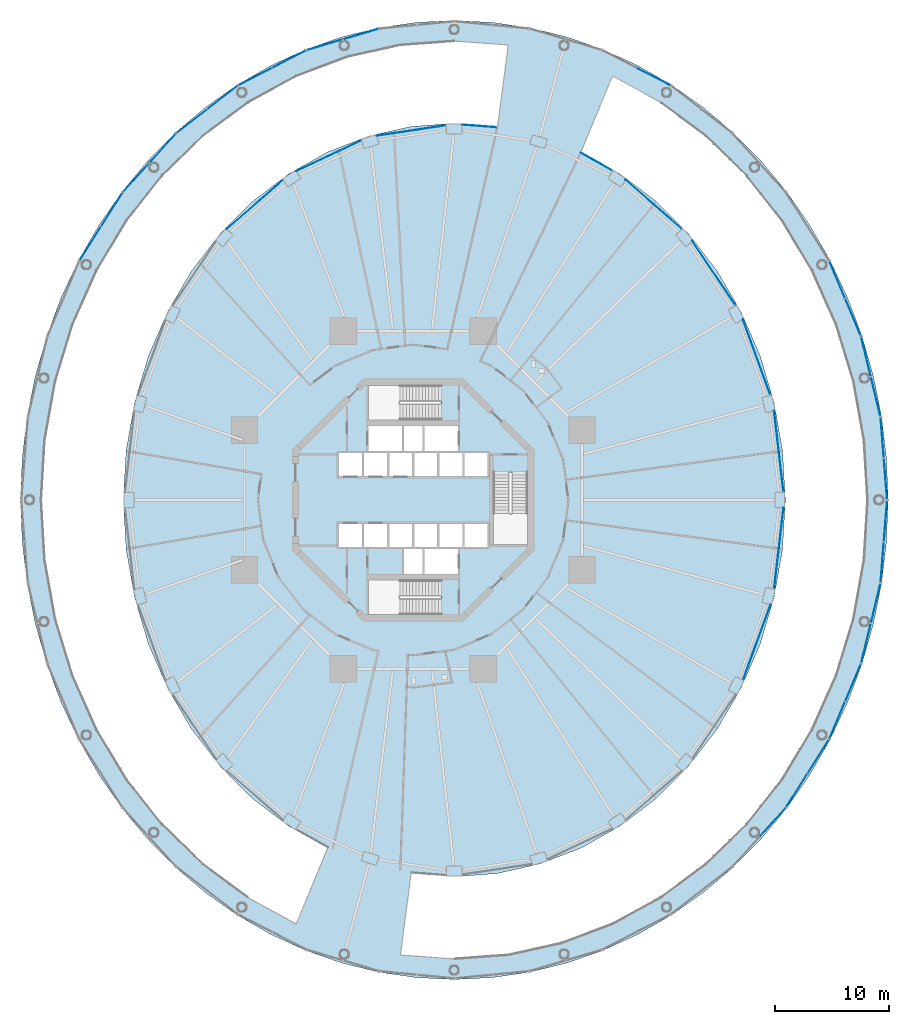
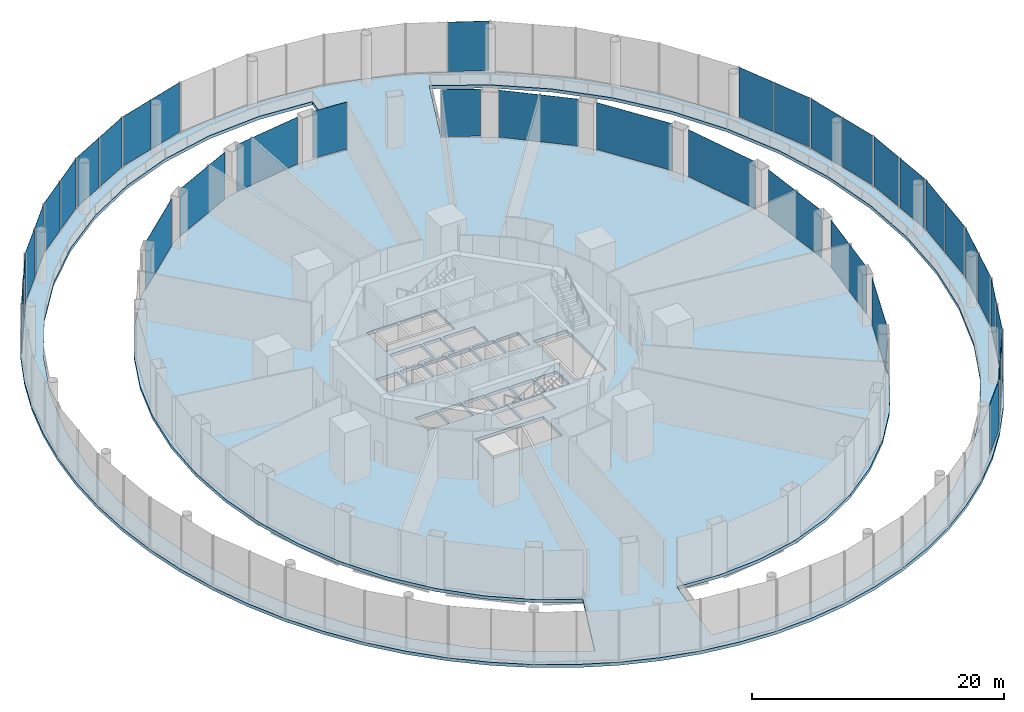
# One storey, part 40 of 47: 37 plates, 1 slab, 25 elements without a shape of their own.
"""IFC4 building model written with IfcOpenShell, lengths in metres."""

from ifc_helpers import new_model, si_unit, direction, frame, origin, origin_2d, place, context, subcontext, project, spatial, polyline, rectangle, outline, extrude, material, layer, layer_set, type_object, element, aggregate, save


model = new_model("IFC4")

# Units and contexts
model_context = context("Model", 3, precision=1e-05, world=origin(), true_north=direction((0.0, 1.0)))
body_context = subcontext(model_context, "Body", "Model", "MODEL_VIEW")
ifc_project = project(units=[si_unit("LENGTHUNIT", "METRE"), si_unit("AREAUNIT", "SQUARE_METRE"), si_unit("VOLUMEUNIT", "CUBIC_METRE"), si_unit("PLANEANGLEUNIT", "RADIAN"), si_unit("MASSUNIT", "GRAM", prefix="KILO")], contexts=[model_context])

# Site, building, storey
site_placement = place(None, origin())
site = spatial("IfcSite", under=ifc_project, at=site_placement, CompositionType="ELEMENT")
building_placement = place(site_placement, origin())
building = spatial("IfcBuilding", under=site, at=building_placement, Name="Nagisa Residences", CompositionType="ELEMENT")
storey_placement = place(building_placement, frame((0.0, 0.0, 17.0)))
storey = spatial("IfcBuildingStorey", under=building, at=storey_placement, Name="L03", CompositionType="ELEMENT", Elevation=17.0)

# Curtain wall, plates
ifc_material_1 = material(Name="Stainless steel curtain wall system", Category="steel")
ifc_layer_1 = layer(ifc_material_1, 0.159912109375)
ifc_layer_set_1 = layer_set([ifc_layer_1], Name="CW3 CURTAIN WALL")
curtain_wall_type_1 = type_object("IfcCurtainWallType", Name="CW3 CURTAIN WALL", PredefinedType="NOTDEFINED", material=ifc_layer_set_1)
curtain_wall_1_placement = place(storey_placement, origin())
curtain_wall_1 = element("IfcCurtainWall", 1, at=curtain_wall_1_placement, inside=storey, type_object=curtain_wall_type_1, Name="cw:CW3:L03:00", PredefinedType="NOTDEFINED")
ifc_material_2 = material(Name="Low-iron laminated glass", Category="glass")
ifc_layer_2 = layer(ifc_material_2, 0.028076171875)
ifc_layer_set_2 = layer_set([ifc_layer_2], Name="CW3 GLASS PANEL")
plate_type_1 = type_object("IfcPlateType", Name="CW3 GLASS PANEL", PredefinedType="CURTAIN_PANEL", material=ifc_layer_set_2)
plate_1_placement = place(storey_placement, frame((41.374267578125, 1.8369140625, 0.2001953125), z_axis=(0.0, 0.0, 1.0), x_axis=(-0.078909582539, 0.996881777235, 0.0)))
plate_1 = element("IfcPlate", 2, at=plate_1_placement, type_object=plate_type_1, Name="CW3 panel", PredefinedType="CURTAIN_PANEL", context=body_context, shape_type="SweptSolid", body=[
    extrude(rectangle(XDim=3.5380859375, YDim=0.028076171875, at=origin_2d()), origin(), (0.0, 0.0, 1.0), 4.800048828125),
])
plate_2_placement = place(storey_placement, frame((41.0888671875, 5.443603515625, 0.2001953125), z_axis=(0.0, 0.0, 1.0), x_axis=(-0.078909582539, 0.996881777235, 0.0)))
plate_2 = element("IfcPlate", 3, at=plate_2_placement, type_object=plate_type_1, Name="CW3 panel", PredefinedType="CURTAIN_PANEL", context=body_context, shape_type="SweptSolid", body=[
    extrude(rectangle(XDim=3.5380859375, YDim=0.028076171875, at=origin_2d()), origin(), (0.0, 0.0, 1.0), 4.800048828125),
])
aggregate(curtain_wall_1, [plate_1, plate_2])

curtain_wall_2_placement = place(storey_placement, origin())
curtain_wall_2 = element("IfcCurtainWall", 4, at=curtain_wall_2_placement, inside=storey, type_object=curtain_wall_type_1, Name="cw:CW3:L03:01", PredefinedType="NOTDEFINED")
plate_3_placement = place(storey_placement, frame((40.51171875, 9.061767578125, 0.2001953125), z_axis=(0.0, 0.0, 1.0), x_axis=(-0.235605514043, 0.971848775146, 0.0)))
plate_3 = element("IfcPlate", 5, at=plate_3_placement, type_object=plate_type_1, Name="CW3 panel", PredefinedType="CURTAIN_PANEL", context=body_context, shape_type="SweptSolid", body=[
    extrude(rectangle(XDim=3.518310546875, YDim=0.028076171875, at=origin_2d()), origin(), (0.0, 0.0, 1.0), 4.800048828125),
])
plate_4_placement = place(storey_placement, frame((39.663818359375, 12.55859375, 0.2001953125), z_axis=(0.0, 0.0, 1.0), x_axis=(-0.235605514043, 0.971848775146, 0.0)))
plate_4 = element("IfcPlate", 6, at=plate_4_placement, type_object=plate_type_1, Name="CW3 panel", PredefinedType="CURTAIN_PANEL", context=body_context, shape_type="SweptSolid", body=[
    extrude(rectangle(XDim=3.518310546875, YDim=0.028076171875, at=origin_2d()), origin(), (0.0, 0.0, 1.0), 4.800048828125),
])
aggregate(curtain_wall_2, [plate_3, plate_4])

curtain_wall_3_placement = place(storey_placement, origin())
curtain_wall_3 = element("IfcCurtainWall", 7, at=curtain_wall_3_placement, inside=storey, type_object=curtain_wall_type_1, Name="cw:CW3:L03:02", PredefinedType="NOTDEFINED")
plate_5_placement = place(storey_placement, frame((38.527099609375, 16.010986328125, 0.2001953125), z_axis=(0.0, 0.0, 1.0), x_axis=(-0.388718029417, 0.921356767819, 0.0)))
plate_5 = element("IfcPlate", 8, at=plate_5_placement, type_object=plate_type_1, Name="CW3 panel", PredefinedType="CURTAIN_PANEL", context=body_context, shape_type="SweptSolid", body=[
    extrude(rectangle(XDim=3.480712890625, YDim=0.028076171875, at=origin_2d()), origin(), (0.0, 0.0, 1.0), 4.800048828125),
])
plate_6_placement = place(storey_placement, frame((37.142822265625, 19.291748046875, 0.2001953125), z_axis=(0.0, 0.0, 1.0), x_axis=(-0.388718029417, 0.921356767819, 0.0)))
plate_6 = element("IfcPlate", 9, at=plate_6_placement, type_object=plate_type_1, Name="CW3 panel", PredefinedType="CURTAIN_PANEL", context=body_context, shape_type="SweptSolid", body=[
    extrude(rectangle(XDim=3.480712890625, YDim=0.028076171875, at=origin_2d()), origin(), (0.0, 0.0, 1.0), 4.800048828125),
])
aggregate(curtain_wall_3, [plate_5, plate_6])

# Curtain wall, plate
curtain_wall_4_placement = place(storey_placement, origin())
curtain_wall_4 = element("IfcCurtainWall", 10, at=curtain_wall_4_placement, inside=storey, type_object=curtain_wall_type_1, Name="cw:CW3:L03:06", PredefinedType="NOTDEFINED")
plate_7_placement = place(storey_placement, frame((21.044677734375, 37.084716796875, 0.2001953125), z_axis=(0.0, 0.0, 1.0), x_axis=(-0.888887270285, 0.45812598783, 0.0)))
plate_7 = element("IfcPlate", 11, at=plate_7_placement, type_object=plate_type_1, Name="CW3 panel", PredefinedType="CURTAIN_PANEL", context=body_context, shape_type="SweptSolid", body=[
    extrude(rectangle(XDim=3.2568359375, YDim=0.028076171875, at=origin_2d()), origin(), (0.0, 0.0, 1.0), 4.800048828125),
])
aggregate(curtain_wall_4, [plate_7])

# Curtain wall, plates
curtain_wall_5_placement = place(storey_placement, origin())
curtain_wall_5 = element("IfcCurtainWall", 12, at=curtain_wall_5_placement, inside=storey, type_object=curtain_wall_type_1, Name="cw:CW3:L03:10", PredefinedType="NOTDEFINED")
plate_8_placement = place(storey_placement, frame((-4.5947265625, 40.805908203125, 0.2001953125), z_axis=(0.0, 0.0, 1.0), x_axis=(-0.958835171393, -0.283963226669, 0.0)))
plate_8 = element("IfcPlate", 13, at=plate_8_placement, type_object=plate_type_1, Name="CW3 panel", PredefinedType="CURTAIN_PANEL", context=body_context, shape_type="SweptSolid", body=[
    extrude(rectangle(XDim=3.21630859375, YDim=0.028076171875, at=origin_2d()), origin(), (0.0, 0.0, 1.0), 4.800048828125),
])
plate_9_placement = place(storey_placement, frame((-7.75537109375, 39.869873046875, 0.2001953125), z_axis=(0.0, 0.0, 1.0), x_axis=(-0.958835171393, -0.283963226669, 0.0)))
plate_9 = element("IfcPlate", 14, at=plate_9_placement, type_object=plate_type_1, Name="CW3 panel", PredefinedType="CURTAIN_PANEL", context=body_context, shape_type="SweptSolid", body=[
    extrude(rectangle(XDim=3.21630859375, YDim=0.028076171875, at=origin_2d()), origin(), (0.0, 0.0, 1.0), 4.800048828125),
])
aggregate(curtain_wall_5, [plate_8, plate_9])

curtain_wall_6_placement = place(storey_placement, origin())
curtain_wall_6 = element("IfcCurtainWall", 15, at=curtain_wall_6_placement, inside=storey, type_object=curtain_wall_type_1, Name="cw:CW3:L03:11", PredefinedType="NOTDEFINED")
plate_10_placement = place(storey_placement, frame((-10.878662109375, 38.61328125, 0.2001953125), z_axis=(0.0, 0.0, 1.0), x_axis=(-0.888887270285, -0.45812598783, 0.0)))
plate_10 = element("IfcPlate", 16, at=plate_10_placement, type_object=plate_type_1, Name="CW3 panel", PredefinedType="CURTAIN_PANEL", context=body_context, shape_type="SweptSolid", body=[
    extrude(rectangle(XDim=3.2568359375, YDim=0.028076171875, at=origin_2d()), origin(), (0.0, 0.0, 1.0), 4.800048828125),
])
plate_11_placement = place(storey_placement, frame((-13.8447265625, 37.084716796875, 0.2001953125), z_axis=(0.0, 0.0, 1.0), x_axis=(-0.888887270285, -0.45812598783, 0.0)))
plate_11 = element("IfcPlate", 17, at=plate_11_placement, type_object=plate_type_1, Name="CW3 panel", PredefinedType="CURTAIN_PANEL", context=body_context, shape_type="SweptSolid", body=[
    extrude(rectangle(XDim=3.2568359375, YDim=0.028076171875, at=origin_2d()), origin(), (0.0, 0.0, 1.0), 4.800048828125),
])
aggregate(curtain_wall_6, [plate_10, plate_11])

curtain_wall_7_placement = place(storey_placement, origin())
curtain_wall_7 = element("IfcCurtainWall", 18, at=curtain_wall_7_placement, inside=storey, type_object=curtain_wall_type_1, Name="cw:CW3:L03:12", PredefinedType="NOTDEFINED")
plate_12_placement = place(storey_placement, frame((-16.723388671875, 35.247802734375, 0.2001953125), z_axis=(0.0, 0.0, 1.0), x_axis=(-0.790830864353, -0.612034757172, 0.0)))
plate_12 = element("IfcPlate", 19, at=plate_12_placement, type_object=plate_type_1, Name="CW3 panel", PredefinedType="CURTAIN_PANEL", context=body_context, shape_type="SweptSolid", body=[
    extrude(rectangle(XDim=3.310546875, YDim=0.028076171875, at=origin_2d()), origin(), (0.0, 0.0, 1.0), 4.800048828125),
])
plate_13_placement = place(storey_placement, frame((-19.40478515625, 33.172607421875, 0.2001953125), z_axis=(0.0, 0.0, 1.0), x_axis=(-0.790830864353, -0.612034757172, 0.0)))
plate_13 = element("IfcPlate", 20, at=plate_13_placement, type_object=plate_type_1, Name="CW3 panel", PredefinedType="CURTAIN_PANEL", context=body_context, shape_type="SweptSolid", body=[
    extrude(rectangle(XDim=3.310546875, YDim=0.028076171875, at=origin_2d()), origin(), (0.0, 0.0, 1.0), 4.800048828125),
])
aggregate(curtain_wall_7, [plate_12, plate_13])

curtain_wall_8_placement = place(storey_placement, origin())
curtain_wall_8 = element("IfcCurtainWall", 21, at=curtain_wall_8_placement, inside=storey, type_object=curtain_wall_type_1, Name="cw:CW3:L03:13", PredefinedType="NOTDEFINED")
plate_14_placement = place(storey_placement, frame((-21.950927734375, 30.811279296875, 0.2001953125), z_axis=(0.0, 0.0, 1.0), x_axis=(-0.670913323971, -0.741535779122, 0.0)))
plate_14 = element("IfcPlate", 22, at=plate_14_placement, type_object=plate_type_1, Name="CW3 panel", PredefinedType="CURTAIN_PANEL", context=body_context, shape_type="SweptSolid", body=[
    extrude(rectangle(XDim=3.37060546875, YDim=0.028076171875, at=origin_2d()), origin(), (0.0, 0.0, 1.0), 4.800048828125),
])
plate_15_placement = place(storey_placement, frame((-24.26611328125, 28.25244140625, 0.2001953125), z_axis=(0.0, 0.0, 1.0), x_axis=(-0.670913323971, -0.741535779122, 0.0)))
plate_15 = element("IfcPlate", 23, at=plate_15_placement, type_object=plate_type_1, Name="CW3 panel", PredefinedType="CURTAIN_PANEL", context=body_context, shape_type="SweptSolid", body=[
    extrude(rectangle(XDim=3.37060546875, YDim=0.028076171875, at=origin_2d()), origin(), (0.0, 0.0, 1.0), 4.800048828125),
])
aggregate(curtain_wall_8, [plate_14, plate_15])

curtain_wall_9_placement = place(storey_placement, origin())
curtain_wall_9 = element("IfcCurtainWall", 24, at=curtain_wall_9_placement, inside=storey, type_object=curtain_wall_type_1, Name="cw:CW3:L03:14", PredefinedType="NOTDEFINED")
plate_16_placement = place(storey_placement, frame((-26.402587890625, 25.43798828125, 0.2001953125), z_axis=(0.0, 0.0, 1.0), x_axis=(-0.535165286856, -0.844747368001, 0.0)))
plate_16 = element("IfcPlate", 25, at=plate_16_placement, type_object=plate_type_1, Name="CW3 panel", PredefinedType="CURTAIN_PANEL", context=body_context, shape_type="SweptSolid", body=[
    extrude(rectangle(XDim=3.4296875, YDim=0.028076171875, at=origin_2d()), origin(), (0.0, 0.0, 1.0), 4.800048828125),
])
plate_17_placement = place(storey_placement, frame((-28.28076171875, 22.473388671875, 0.2001953125), z_axis=(0.0, 0.0, 1.0), x_axis=(-0.535165286856, -0.844747368001, 0.0)))
plate_17 = element("IfcPlate", 26, at=plate_17_placement, type_object=plate_type_1, Name="CW3 panel", PredefinedType="CURTAIN_PANEL", context=body_context, shape_type="SweptSolid", body=[
    extrude(rectangle(XDim=3.4296875, YDim=0.028076171875, at=origin_2d()), origin(), (0.0, 0.0, 1.0), 4.800048828125),
])
aggregate(curtain_wall_9, [plate_16, plate_17])

# Curtain wall, plate
curtain_wall_10_placement = place(storey_placement, origin())
curtain_wall_10 = element("IfcCurtainWall", 27, at=curtain_wall_10_placement, inside=storey, type_object=curtain_wall_type_1, Name="cw:CW3:L03:31", PredefinedType="NOTDEFINED")
plate_18_placement = place(storey_placement, frame((31.466064453125, -28.25244140625, 0.2001953125), z_axis=(0.0, 0.0, 1.0), x_axis=(0.670913323971, 0.741535779122, 0.0)))
plate_18 = element("IfcPlate", 28, at=plate_18_placement, type_object=plate_type_1, Name="CW3 panel", PredefinedType="CURTAIN_PANEL", context=body_context, shape_type="SweptSolid", body=[
    extrude(rectangle(XDim=3.37060546875, YDim=0.028076171875, at=origin_2d()), origin(), (0.0, 0.0, 1.0), 4.800048828125),
])
aggregate(curtain_wall_10, [plate_18])

# Curtain wall, plates
curtain_wall_11_placement = place(storey_placement, origin())
curtain_wall_11 = element("IfcCurtainWall", 29, at=curtain_wall_11_placement, inside=storey, type_object=curtain_wall_type_1, Name="cw:CW3:L03:32", PredefinedType="NOTDEFINED")
plate_19_placement = place(storey_placement, frame((33.6025390625, -25.43798828125, 0.2001953125), z_axis=(0.0, 0.0, 1.0), x_axis=(0.535165286856, 0.844747368001, 0.0)))
plate_19 = element("IfcPlate", 30, at=plate_19_placement, type_object=plate_type_1, Name="CW3 panel", PredefinedType="CURTAIN_PANEL", context=body_context, shape_type="SweptSolid", body=[
    extrude(rectangle(XDim=3.4296875, YDim=0.028076171875, at=origin_2d()), origin(), (0.0, 0.0, 1.0), 4.800048828125),
])
plate_20_placement = place(storey_placement, frame((35.48095703125, -22.473388671875, 0.2001953125), z_axis=(0.0, 0.0, 1.0), x_axis=(0.535165286856, 0.844747368001, 0.0)))
plate_20 = element("IfcPlate", 31, at=plate_20_placement, type_object=plate_type_1, Name="CW3 panel", PredefinedType="CURTAIN_PANEL", context=body_context, shape_type="SweptSolid", body=[
    extrude(rectangle(XDim=3.4296875, YDim=0.028076171875, at=origin_2d()), origin(), (0.0, 0.0, 1.0), 4.800048828125),
])
aggregate(curtain_wall_11, [plate_19, plate_20])

curtain_wall_12_placement = place(storey_placement, origin())
curtain_wall_12 = element("IfcCurtainWall", 32, at=curtain_wall_12_placement, inside=storey, type_object=curtain_wall_type_1, Name="cw:CW3:L03:33", PredefinedType="NOTDEFINED")
plate_21_placement = place(storey_placement, frame((37.142822265625, -19.291748046875, 0.2001953125), z_axis=(0.0, 0.0, 1.0), x_axis=(0.388718029417, 0.921356767819, 0.0)))
plate_21 = element("IfcPlate", 33, at=plate_21_placement, type_object=plate_type_1, Name="CW3 panel", PredefinedType="CURTAIN_PANEL", context=body_context, shape_type="SweptSolid", body=[
    extrude(rectangle(XDim=3.480712890625, YDim=0.028076171875, at=origin_2d()), origin(), (0.0, 0.0, 1.0), 4.800048828125),
])
plate_22_placement = place(storey_placement, frame((38.527099609375, -16.010986328125, 0.2001953125), z_axis=(0.0, 0.0, 1.0), x_axis=(0.388718029417, 0.921356767819, 0.0)))
plate_22 = element("IfcPlate", 34, at=plate_22_placement, type_object=plate_type_1, Name="CW3 panel", PredefinedType="CURTAIN_PANEL", context=body_context, shape_type="SweptSolid", body=[
    extrude(rectangle(XDim=3.480712890625, YDim=0.028076171875, at=origin_2d()), origin(), (0.0, 0.0, 1.0), 4.800048828125),
])
aggregate(curtain_wall_12, [plate_21, plate_22])

curtain_wall_13_placement = place(storey_placement, origin())
curtain_wall_13 = element("IfcCurtainWall", 35, at=curtain_wall_13_placement, inside=storey, type_object=curtain_wall_type_1, Name="cw:CW3:L03:34", PredefinedType="NOTDEFINED")
plate_23_placement = place(storey_placement, frame((39.663818359375, -12.55859375, 0.2001953125), z_axis=(0.0, 0.0, 1.0), x_axis=(0.235605514043, 0.971848775146, 0.0)))
plate_23 = element("IfcPlate", 36, at=plate_23_placement, type_object=plate_type_1, Name="CW3 panel", PredefinedType="CURTAIN_PANEL", context=body_context, shape_type="SweptSolid", body=[
    extrude(rectangle(XDim=3.518310546875, YDim=0.028076171875, at=origin_2d()), origin(), (0.0, 0.0, 1.0), 4.800048828125),
])
plate_24_placement = place(storey_placement, frame((40.51171875, -9.061767578125, 0.2001953125), z_axis=(0.0, 0.0, 1.0), x_axis=(0.235605514043, 0.971848775146, 0.0)))
plate_24 = element("IfcPlate", 37, at=plate_24_placement, type_object=plate_type_1, Name="CW3 panel", PredefinedType="CURTAIN_PANEL", context=body_context, shape_type="SweptSolid", body=[
    extrude(rectangle(XDim=3.518310546875, YDim=0.028076171875, at=origin_2d()), origin(), (0.0, 0.0, 1.0), 4.800048828125),
])
aggregate(curtain_wall_13, [plate_23, plate_24])

curtain_wall_14_placement = place(storey_placement, origin())
curtain_wall_14 = element("IfcCurtainWall", 38, at=curtain_wall_14_placement, inside=storey, type_object=curtain_wall_type_1, Name="cw:CW3:L03:35", PredefinedType="NOTDEFINED")
plate_25_placement = place(storey_placement, frame((41.0888671875, -5.443603515625, 0.2001953125), z_axis=(0.0, 0.0, 1.0), x_axis=(0.078909582539, 0.996881777235, 0.0)))
plate_25 = element("IfcPlate", 39, at=plate_25_placement, type_object=plate_type_1, Name="CW3 panel", PredefinedType="CURTAIN_PANEL", context=body_context, shape_type="SweptSolid", body=[
    extrude(rectangle(XDim=3.5380859375, YDim=0.028076171875, at=origin_2d()), origin(), (0.0, 0.0, 1.0), 4.800048828125),
])
plate_26_placement = place(storey_placement, frame((41.374267578125, -1.8369140625, 0.2001953125), z_axis=(0.0, 0.0, 1.0), x_axis=(0.078909582539, 0.996881777235, 0.0)))
plate_26 = element("IfcPlate", 40, at=plate_26_placement, type_object=plate_type_1, Name="CW3 panel", PredefinedType="CURTAIN_PANEL", context=body_context, shape_type="SweptSolid", body=[
    extrude(rectangle(XDim=3.5380859375, YDim=0.028076171875, at=origin_2d()), origin(), (0.0, 0.0, 1.0), 4.800048828125),
])
aggregate(curtain_wall_14, [plate_25, plate_26])

# Curtain wall, plate
ifc_material_3 = material(Name="Stainless steel curtain wall system", Category="steel")
ifc_layer_3 = layer(ifc_material_3, 0.159912109375)
ifc_layer_set_3 = layer_set([ifc_layer_3], Name="CW6 CURTAIN WALL")
curtain_wall_type_2 = type_object("IfcCurtainWallType", Name="CW6 CURTAIN WALL", PredefinedType="NOTDEFINED", material=ifc_layer_set_3)
curtain_wall_15_placement = place(storey_placement, origin())
curtain_wall_15 = element("IfcCurtainWall", 41, at=curtain_wall_15_placement, inside=storey, type_object=curtain_wall_type_2, Name="cw:CW6:L03:00", PredefinedType="NOTDEFINED")
ifc_material_4 = material(Name="Low-iron laminated glass", Category="glass")
ifc_layer_4 = layer(ifc_material_4, 0.028076171875)
ifc_layer_set_4 = layer_set([ifc_layer_4], Name="CW6 GLASS PANEL")
plate_type_2 = type_object("IfcPlateType", Name="CW6 GLASS PANEL", PredefinedType="CURTAIN_PANEL", material=ifc_layer_set_4)
plate_27_placement = place(storey_placement, frame((32.02294921875, 4.291015625, 0.14990234375), z_axis=(0.0, 0.0, 1.0), x_axis=(-0.114928006139, 0.993373823596, 0.0)))
plate_27 = element("IfcPlate", 42, at=plate_27_placement, type_object=plate_type_2, Name="CW6 panel", PredefinedType="CURTAIN_PANEL", context=body_context, shape_type="SweptSolid", body=[
    extrude(rectangle(XDim=7.137939453125, YDim=0.028076171875, at=origin_2d()), origin(), (0.0, 0.0, 1.0), 4.550048828125),
])
aggregate(curtain_wall_15, [plate_27])

curtain_wall_16_placement = place(storey_placement, origin())
curtain_wall_16 = element("IfcCurtainWall", 43, at=curtain_wall_16_placement, inside=storey, type_object=curtain_wall_type_2, Name="cw:CW6:L03:02", PredefinedType="NOTDEFINED")
plate_28_placement = place(storey_placement, frame((30.077880859375, 12.521240234375, 0.14990234375), z_axis=(0.0, 0.0, 1.0), x_axis=(-0.342049702176, 0.939681861718, 0.0)))
plate_28 = element("IfcPlate", 44, at=plate_28_placement, type_object=plate_type_2, Name="CW6 panel", PredefinedType="CURTAIN_PANEL", context=body_context, shape_type="SweptSolid", body=[
    extrude(rectangle(XDim=7.009765625, YDim=0.028076171875, at=origin_2d()), origin(), (0.0, 0.0, 1.0), 4.550048828125),
])
aggregate(curtain_wall_16, [plate_28])

curtain_wall_17_placement = place(storey_placement, origin())
curtain_wall_17 = element("IfcCurtainWall", 45, at=curtain_wall_17_placement, inside=storey, type_object=curtain_wall_type_2, Name="cw:CW6:L03:04", PredefinedType="NOTDEFINED")
plate_29_placement = place(storey_placement, frame((26.327392578125, 19.8974609375, 0.14990234375), z_axis=(0.0, 0.0, 1.0), x_axis=(-0.559084136544, 0.829110926393, 0.0)))
plate_29 = element("IfcPlate", 46, at=plate_29_placement, type_object=plate_type_2, Name="CW6 panel", PredefinedType="CURTAIN_PANEL", context=body_context, shape_type="SweptSolid", body=[
    extrude(rectangle(XDim=6.783203125, YDim=0.028076171875, at=origin_2d()), origin(), (0.0, 0.0, 1.0), 4.550048828125),
])
aggregate(curtain_wall_17, [plate_29])

curtain_wall_18_placement = place(storey_placement, origin())
curtain_wall_18 = element("IfcCurtainWall", 47, at=curtain_wall_18_placement, inside=storey, type_object=curtain_wall_type_2, Name="cw:CW6:L03:06", PredefinedType="NOTDEFINED")
plate_30_placement = place(storey_placement, frame((21.02783203125, 25.916259765625, 0.14990234375), z_axis=(0.0, 0.0, 1.0), x_axis=(-0.753261216572, 0.657721475708, 0.0)))
plate_30 = element("IfcPlate", 48, at=plate_30_placement, type_object=plate_type_2, Name="CW6 panel", PredefinedType="CURTAIN_PANEL", context=body_context, shape_type="SweptSolid", body=[
    extrude(rectangle(XDim=6.513427734375, YDim=0.028076171875, at=origin_2d()), origin(), (0.0, 0.0, 1.0), 4.550048828125),
])
aggregate(curtain_wall_18, [plate_30])

curtain_wall_19_placement = place(storey_placement, origin())
curtain_wall_19 = element("IfcCurtainWall", 49, at=curtain_wall_19_placement, inside=storey, type_object=curtain_wall_type_2, Name="cw:CW6:L03:08", PredefinedType="NOTDEFINED")
plate_31_placement = place(storey_placement, frame((16.0283203125, 29.649658203125, 0.14990234375), z_axis=(0.0, 0.0, 1.0), x_axis=(-0.872072377523, 0.489376918501, 0.0)))
plate_31 = element("IfcPlate", 50, at=plate_31_placement, type_object=plate_type_2, Name="CW6 panel", PredefinedType="CURTAIN_PANEL", context=body_context, shape_type="SweptSolid", body=[
    extrude(rectangle(XDim=3.141357421875, YDim=0.028076171875, at=origin_2d()), origin(), (0.0, 0.0, 1.0), 4.550048828125),
])
aggregate(curtain_wall_19, [plate_31])

curtain_wall_20_placement = place(storey_placement, origin())
curtain_wall_20 = element("IfcCurtainWall", 51, at=curtain_wall_20_placement, inside=storey, type_object=curtain_wall_type_2, Name="cw:CW6:L03:11", PredefinedType="NOTDEFINED")
plate_32_placement = place(storey_placement, frame((5.805908203125, 32.75537109375, 0.14990234375), z_axis=(0.0, 0.0, 1.0), x_axis=(-0.997230168512, 0.074377355493, 0.0)))
plate_32 = element("IfcPlate", 52, at=plate_32_placement, type_object=plate_type_2, Name="CW6 panel", PredefinedType="CURTAIN_PANEL", context=body_context, shape_type="SweptSolid", body=[
    extrude(rectangle(XDim=3.035888671875, YDim=0.028076171875, at=origin_2d()), origin(), (0.0, 0.0, 1.0), 4.550048828125),
])
aggregate(curtain_wall_20, [plate_32])

curtain_wall_21_placement = place(storey_placement, origin())
curtain_wall_21 = element("IfcCurtainWall", 53, at=curtain_wall_21_placement, inside=storey, type_object=curtain_wall_type_2, Name="cw:CW6:L03:12", PredefinedType="NOTDEFINED")
plate_33_placement = place(storey_placement, frame((-0.170654296875, 32.354248046875, 0.14990234375), z_axis=(0.0, 0.0, 1.0), x_axis=(-0.988963689083, -0.148158096894, 0.0)))
plate_33 = element("IfcPlate", 54, at=plate_33_placement, type_object=plate_type_2, Name="CW6 panel", PredefinedType="CURTAIN_PANEL", context=body_context, shape_type="SweptSolid", body=[
    extrude(rectangle(XDim=6.12939453125, YDim=0.028076171875, at=origin_2d()), origin(), (0.0, 0.0, 1.0), 4.550048828125),
])
aggregate(curtain_wall_21, [plate_33])

curtain_wall_22_placement = place(storey_placement, origin())
curtain_wall_22 = element("IfcCurtainWall", 55, at=curtain_wall_22_placement, inside=storey, type_object=curtain_wall_type_2, Name="cw:CW6:L03:14", PredefinedType="NOTDEFINED")
plate_34_placement = place(storey_placement, frame((-7.39599609375, 30.14208984375, 0.14990234375), z_axis=(0.0, 0.0, 1.0), x_axis=(-0.904554286432, -0.426358467603, 0.0)))
plate_34 = element("IfcPlate", 56, at=plate_34_placement, type_object=plate_type_2, Name="CW6 panel", PredefinedType="CURTAIN_PANEL", context=body_context, shape_type="SweptSolid", body=[
    extrude(rectangle(XDim=6.272216796875, YDim=0.028076171875, at=origin_2d()), origin(), (0.0, 0.0, 1.0), 4.550048828125),
])
aggregate(curtain_wall_22, [plate_34])

curtain_wall_23_placement = place(storey_placement, origin())
curtain_wall_23 = element("IfcCurtainWall", 57, at=curtain_wall_23_placement, inside=storey, type_object=curtain_wall_type_2, Name="cw:CW6:L03:16", PredefinedType="NOTDEFINED")
plate_35_placement = place(storey_placement, frame((-13.873046875, 25.876708984375, 0.14990234375), z_axis=(0.0, 0.0, 1.0), x_axis=(-0.753261216572, -0.657721475708, 0.0)))
plate_35 = element("IfcPlate", 58, at=plate_35_placement, type_object=plate_type_2, Name="CW6 panel", PredefinedType="CURTAIN_PANEL", context=body_context, shape_type="SweptSolid", body=[
    extrude(rectangle(XDim=6.513427734375, YDim=0.028076171875, at=origin_2d()), origin(), (0.0, 0.0, 1.0), 4.550048828125),
])
aggregate(curtain_wall_23, [plate_35])

curtain_wall_24_placement = place(storey_placement, origin())
curtain_wall_24 = element("IfcCurtainWall", 59, at=curtain_wall_24_placement, inside=storey, type_object=curtain_wall_type_2, Name="cw:CW6:L03:44", PredefinedType="NOTDEFINED")
plate_36_placement = place(storey_placement, frame((30.098388671875, -12.46484375, 0.14990234375), z_axis=(0.0, 0.0, 1.0), x_axis=(0.342049702176, 0.939681861718, 0.0)))
plate_36 = element("IfcPlate", 60, at=plate_36_placement, type_object=plate_type_2, Name="CW6 panel", PredefinedType="CURTAIN_PANEL", context=body_context, shape_type="SweptSolid", body=[
    extrude(rectangle(XDim=7.009765625, YDim=0.028076171875, at=origin_2d()), origin(), (0.0, 0.0, 1.0), 4.550048828125),
])
aggregate(curtain_wall_24, [plate_36])

curtain_wall_25_placement = place(storey_placement, origin())
curtain_wall_25 = element("IfcCurtainWall", 61, at=curtain_wall_25_placement, inside=storey, type_object=curtain_wall_type_2, Name="cw:CW6:L03:46", PredefinedType="NOTDEFINED")
plate_37_placement = place(storey_placement, frame((32.02978515625, -4.2314453125, 0.14990234375), z_axis=(0.0, 0.0, 1.0), x_axis=(0.114928006139, 0.993373823596, 0.0)))
plate_37 = element("IfcPlate", 62, at=plate_37_placement, type_object=plate_type_2, Name="CW6 panel", PredefinedType="CURTAIN_PANEL", context=body_context, shape_type="SweptSolid", body=[
    extrude(rectangle(XDim=7.137939453125, YDim=0.028076171875, at=origin_2d()), origin(), (0.0, 0.0, 1.0), 4.550048828125),
])
aggregate(curtain_wall_25, [plate_37])

# Slab
ifc_material_5 = material(Name="Concrete C40", Category="concrete")
ifc_layer_5 = layer(ifc_material_5, 0.300048828125)
ifc_layer_set_5 = layer_set([ifc_layer_5], Name="Floor slab 300")
slab_type = type_object("IfcSlabType", Name="Floor slab 300", PredefinedType="FLOOR", material=ifc_layer_set_5)
slab_placement = place(storey_placement, frame((0.0, 0.0, -0.300048828125)))
element("IfcSlab", 63, at=slab_placement, inside=storey, type_object=slab_type, Name="slab:L03:floor", PredefinedType="FLOOR", context=body_context, shape_type="SweptSolid", body=[
    extrude(outline(polyline([(41.60009765625, 0.0), (41.455322265625, 3.66064453125), (41.022705078125, 7.293212890625), (40.30517578125, 10.870361328125), (39.308349609375, 14.36474609375), (38.039794921875, 17.75), (36.509033203125, 21.0), (34.727783203125, 24.09033203125), (32.709716796875, 26.9970703125), (30.469970703125, 29.698486328125), (28.02587890625, 32.173828125), (25.39599609375, 34.404296875), (22.60009765625, 36.373046875), (19.659423828125, 38.06494140625), (16.5966796875, 39.467041015625), (13.43505859375, 40.56884765625), (10.19873046875, 41.36181640625), (6.911865234375, 41.840087890625), (3.60009765625, 42.0), (0.2880859375, 41.840087890625), (-2.99853515625, 41.36181640625), (-6.235107421875, 40.56884765625), (-9.396728515625, 39.467041015625), (-12.45947265625, 38.06494140625), (-15.39990234375, 36.373046875), (-18.19580078125, 34.404296875), (-20.825927734375, 32.173828125), (-23.27001953125, 29.698486328125), (-25.509765625, 26.9970703125), (-27.52783203125, 24.09033203125), (-29.30908203125, 21.0), (-30.839599609375, 17.75), (-32.1083984375, 14.36474609375), (-33.105224609375, 10.870361328125), (-33.82275390625, 7.293212890625), (-34.25537109375, 3.66064453125), (-34.39990234375, 0.0), (-34.25537109375, -3.66064453125), (-33.82275390625, -7.293212890625), (-33.105224609375, -10.870361328125), (-32.1083984375, -14.36474609375), (-30.839599609375, -17.75), (-29.30908203125, -21.0), (-27.52783203125, -24.09033203125), (-25.509765625, -26.9970703125), (-23.27001953125, -29.698486328125), (-20.825927734375, -32.173828125), (-18.19580078125, -34.404296875), (-15.39990234375, -36.373046875), (-12.45947265625, -38.06494140625), (-9.396728515625, -39.467041015625), (-6.235107421875, -40.56884765625), (-2.99853515625, -41.36181640625), (0.2880859375, -41.840087890625), (3.60009765625, -42.0), (6.911865234375, -41.840087890625), (10.19873046875, -41.36181640625), (13.43505859375, -40.56884765625), (16.5966796875, -39.467041015625), (19.659423828125, -38.06494140625), (22.60009765625, -36.373046875), (25.39599609375, -34.404296875), (28.02587890625, -32.173828125), (30.469970703125, -29.698486328125), (32.709716796875, -26.9970703125), (34.727783203125, -24.09033203125), (36.509033203125, -21.0), (38.039794921875, -17.75), (39.308349609375, -14.36474609375), (40.30517578125, -10.870361328125), (41.022705078125, -7.293212890625), (41.455322265625, -3.66064453125), (41.60009765625, 0.0)]), holes=[polyline([(-4.5, 2.10009765625), (-4.5, 4.10009765625), (-6.5, 4.10009765625), (-6.5, 2.10009765625), (-4.5, 2.10009765625)]), polyline([(-2.300048828125, 2.10009765625), (-2.300048828125, 4.10009765625), (-4.300048828125, 4.10009765625), (-4.300048828125, 2.10009765625), (-2.300048828125, 2.10009765625)]), polyline([(-0.10009765625, 2.10009765625), (-0.10009765625, 4.10009765625), (-2.10009765625, 4.10009765625), (-2.10009765625, 2.10009765625), (-0.10009765625, 2.10009765625)]), polyline([(2.10009765625, 2.10009765625), (2.10009765625, 4.10009765625), (0.10009765625, 4.10009765625), (0.10009765625, 2.10009765625), (2.10009765625, 2.10009765625)]), polyline([(4.300048828125, 2.10009765625), (4.300048828125, 4.10009765625), (2.300048828125, 4.10009765625), (2.300048828125, 2.10009765625), (4.300048828125, 2.10009765625)]), polyline([(6.5, 2.10009765625), (6.5, 4.10009765625), (4.5, 4.10009765625), (4.5, 2.10009765625), (6.5, 2.10009765625)]), polyline([(-4.5, -4.10009765625), (-4.5, -2.10009765625), (-6.5, -2.10009765625), (-6.5, -4.10009765625), (-4.5, -4.10009765625)]), polyline([(-2.300048828125, -4.10009765625), (-2.300048828125, -2.10009765625), (-4.300048828125, -2.10009765625), (-4.300048828125, -4.10009765625), (-2.300048828125, -4.10009765625)]), polyline([(-0.10009765625, -4.10009765625), (-0.10009765625, -2.10009765625), (-2.10009765625, -2.10009765625), (-2.10009765625, -4.10009765625), (-0.10009765625, -4.10009765625)]), polyline([(2.10009765625, -4.10009765625), (2.10009765625, -2.10009765625), (0.10009765625, -2.10009765625), (0.10009765625, -4.10009765625), (2.10009765625, -4.10009765625)]), polyline([(4.300048828125, -4.10009765625), (4.300048828125, -2.10009765625), (2.300048828125, -2.10009765625), (2.300048828125, -4.10009765625), (4.300048828125, -4.10009765625)]), polyline([(6.5, -4.10009765625), (6.5, -2.10009765625), (4.5, -2.10009765625), (4.5, -4.10009765625), (6.5, -4.10009765625)]), polyline([(3.89990234375, 4.300048828125), (3.89990234375, 6.5), (1.0, 6.5), (1.0, 4.300048828125), (3.89990234375, 4.300048828125)]), polyline([(3.89990234375, -6.5), (3.89990234375, -4.300048828125), (1.0, -4.300048828125), (1.0, -6.5), (3.89990234375, -6.5)]), polyline([(-1.0, 4.300048828125), (-1.0, 6.5), (-3.89990234375, 6.5), (-3.89990234375, 4.300048828125), (-1.0, 4.300048828125)]), polyline([(0.800048828125, 4.300048828125), (0.800048828125, 6.5), (-0.800048828125, 6.5), (-0.800048828125, 4.300048828125), (0.800048828125, 4.300048828125)]), polyline([(0.800048828125, -6.5), (0.800048828125, -4.300048828125), (-0.800048828125, -4.300048828125), (-0.800048828125, -6.5), (0.800048828125, -6.5)]), polyline([(10.024658203125, -3.89990234375), (7.024658203125, -3.89990234375), (7.024658203125, 2.425048828125), (10.024658203125, 2.425048828125), (10.024658203125, -3.89990234375)]), polyline([(-3.89990234375, 7.024658203125), (-3.89990234375, 10.024658203125), (2.425048828125, 10.024658203125), (2.425048828125, 7.024658203125), (-3.89990234375, 7.024658203125)]), polyline([(-3.89990234375, -10.024658203125), (-3.89990234375, -7.024658203125), (2.425048828125, -7.024658203125), (2.425048828125, -10.024658203125), (-3.89990234375, -10.024658203125)]), polyline([(8.324951171875, 39.856201171875), (3.60009765625, 40.199951171875), (-1.125, 39.856201171875), (-5.769287109375, 38.830322265625), (-10.253173828125, 37.139892578125), (-14.5, 34.814208984375), (-18.437255859375, 31.892822265625), (-21.997314453125, 28.42578125), (-25.119384765625, 24.47216796875), (-27.75, 20.10009765625), (-29.844482421875, 15.3837890625), (-31.366455078125, 10.404541015625), (-32.290283203125, 5.2470703125), (-32.60009765625, 0.0), (-32.290283203125, -5.2470703125), (-31.366455078125, -10.404541015625), (-29.844482421875, -15.3837890625), (-27.75, -20.10009765625), (-25.119384765625, -24.47216796875), (-21.997314453125, -28.42578125), (-18.437255859375, -31.892822265625), (-14.5, -34.814208984375), (-10.253173828125, -37.139892578125), (-7.497802734375, -30.488037109375), (-10.89990234375, -28.578857421875), (-14.05419921875, -26.1806640625), (-16.906005859375, -23.33447265625), (-19.4072265625, -20.089111328125), (-21.5146484375, -16.5), (-23.192626953125, -12.628662109375), (-24.411865234375, -8.541015625), (-25.15185546875, -4.307373046875), (-25.39990234375, 0.0), (-25.15185546875, 4.307373046875), (-24.411865234375, 8.541015625), (-23.192626953125, 12.628662109375), (-21.5146484375, 16.5), (-19.4072265625, 20.089111328125), (-16.906005859375, 23.33447265625), (-14.05419921875, 26.1806640625), (-10.89990234375, 28.578857421875), (-7.497802734375, 30.488037109375), (-3.90576171875, 31.87548828125), (-0.185302734375, 32.7177734375), (3.60009765625, 33.0), (7.38525390625, 32.7177734375), (8.324951171875, 39.856201171875)]), polyline([(-1.125, -39.856201171875), (3.60009765625, -40.199951171875), (8.324951171875, -39.856201171875), (12.96923828125, -38.830322265625), (17.453125, -37.139892578125), (21.699951171875, -34.814208984375), (25.63720703125, -31.892822265625), (29.197265625, -28.42578125), (32.3193359375, -24.47216796875), (34.9501953125, -20.10009765625), (37.04443359375, -15.3837890625), (38.56640625, -10.404541015625), (39.490234375, -5.2470703125), (39.800048828125, 0.0), (39.490234375, 5.2470703125), (38.56640625, 10.404541015625), (37.04443359375, 15.3837890625), (34.9501953125, 20.10009765625), (32.3193359375, 24.47216796875), (29.197265625, 28.42578125), (25.63720703125, 31.892822265625), (21.699951171875, 34.814208984375), (17.453125, 37.139892578125), (14.69775390625, 30.488037109375), (18.10009765625, 28.578857421875), (21.254150390625, 26.1806640625), (24.106201171875, 23.33447265625), (26.607177734375, 20.089111328125), (28.71484375, 16.5), (30.392578125, 12.628662109375), (31.61181640625, 8.541015625), (32.351806640625, 4.307373046875), (32.60009765625, 0.0), (32.351806640625, -4.307373046875), (31.61181640625, -8.541015625), (30.392578125, -12.628662109375), (28.71484375, -16.5), (26.607177734375, -20.089111328125), (24.106201171875, -23.33447265625), (21.254150390625, -26.1806640625), (18.10009765625, -28.578857421875), (14.69775390625, -30.488037109375), (11.105712890625, -31.87548828125), (7.38525390625, -32.7177734375), (3.60009765625, -33.0), (-0.185302734375, -32.7177734375), (-1.125, -39.856201171875)])]), origin(), (0.0, 0.0, 1.0), 0.300048828125),
])

save(model, "model.ifc")
